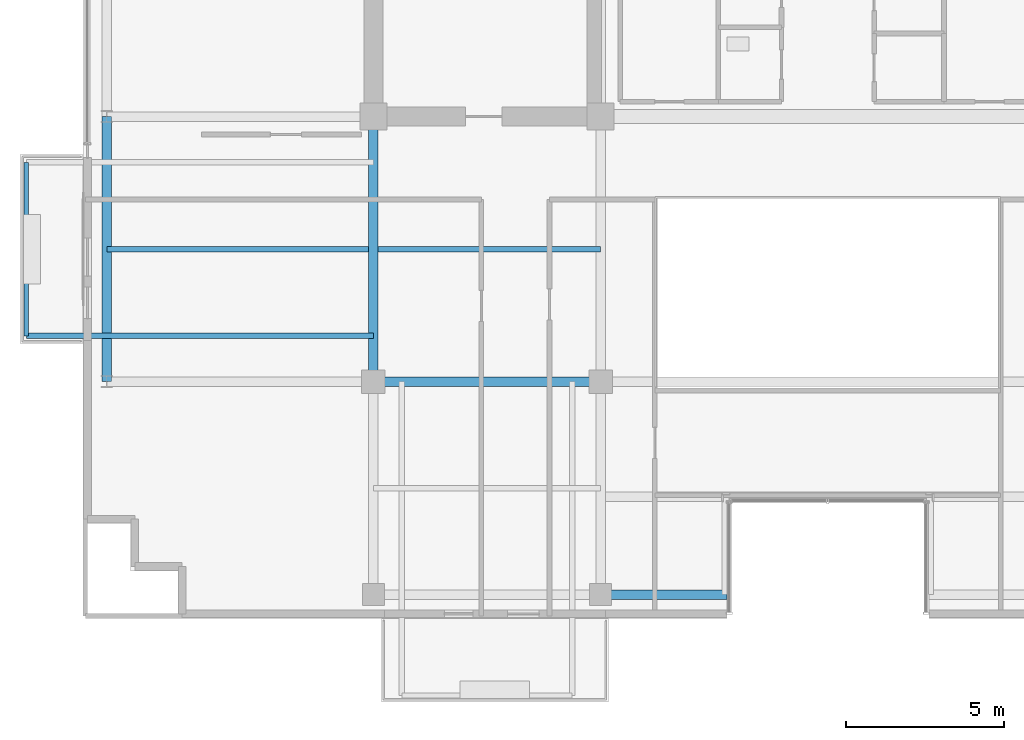
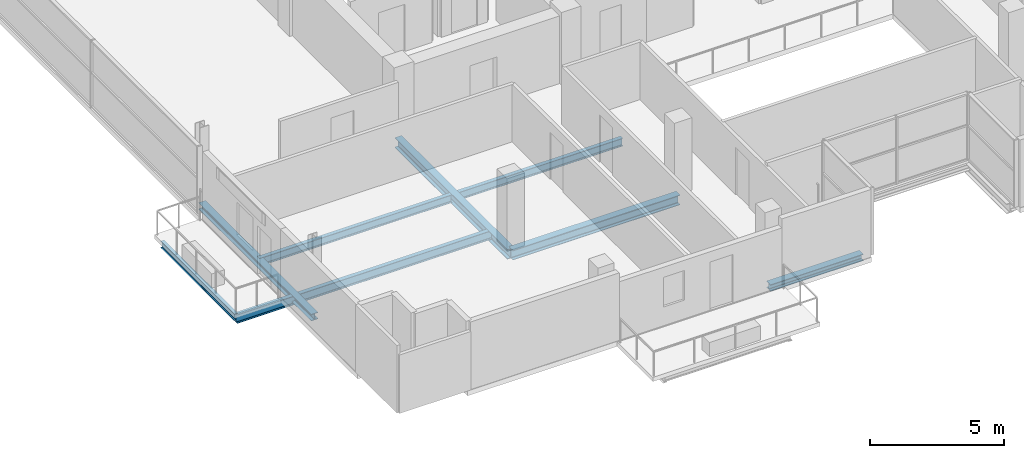
# One storey, part 2 of 22: 8 beams.
"""IFC4 building model written with IfcOpenShell, lengths in metres."""

from ifc_helpers import new_model, si_unit, direction, frame, origin, origin_2d, place, context, subcontext, project, spatial, i_section, extrude, material, material_profile, profile_set, type_object, element, save


model = new_model("IFC4")

# Units and contexts
model_context = context("Model", 3, precision=1e-05, world=origin(), true_north=direction((0.0, 1.0)))
body_context = subcontext(model_context, "Body", "Model", "MODEL_VIEW")
ifc_project = project(units=[si_unit("LENGTHUNIT", "METRE"), si_unit("AREAUNIT", "SQUARE_METRE"), si_unit("VOLUMEUNIT", "CUBIC_METRE"), si_unit("PLANEANGLEUNIT", "RADIAN"), si_unit("MASSUNIT", "GRAM", prefix="KILO")], contexts=[model_context])

# Site, building, storey
site_placement = place(None, origin())
site = spatial("IfcSite", under=ifc_project, at=site_placement, CompositionType="ELEMENT")
building_placement = place(site_placement, origin())
building = spatial("IfcBuilding", under=site, at=building_placement, Name="Zarnakvel Exchange Tower", CompositionType="ELEMENT")
storey_placement = place(building_placement, frame((0.0, 0.0, 228.699951171875)))
storey = spatial("IfcBuildingStorey", under=building, at=storey_placement, Name="L64", CompositionType="ELEMENT", Elevation=228.699951171875)

# Beams
ifc_material = material(Name="Steel S355", Category="steel")
ifc_material_profile_1 = material_profile(ifc_material, i_section(OverallWidth=0.179931640625, OverallDepth=0.39990234375, WebThickness=0.008544921875, FlangeThickness=0.013427734375, FilletRadius=0.02099609375, at=origin_2d()))
ifc_profile_set_1 = profile_set([ifc_material_profile_1], Name="Steel S355")
beam_type_1 = type_object("IfcBeamType", Name="B-06", PredefinedType="JOIST", material=ifc_profile_set_1)
beam_1_placement = place(storey_placement, frame((-14.39990234375, -8.14990234375, -0.425048828125), z_axis=(-1.0, 0.0, 0.0), x_axis=(0.0, -1.0, 0.0)))
element("IfcBeam", 1, at=beam_1_placement, inside=storey, type_object=beam_type_1, Name="L64 Continuous West Loggia Beam S", PredefinedType="JOIST", context=body_context, shape_type="SweptSolid", body=[
    extrude(i_section(OverallWidth=0.179931640625, OverallDepth=0.39990234375, WebThickness=0.008544921875, FlangeThickness=0.013427734375, FilletRadius=0.02099609375, at=origin_2d()), origin(), (0.0, 0.0, 1.0), 11.0),
])
ifc_material_profile_2 = material_profile(ifc_material, i_section(OverallWidth=0.169921875, OverallDepth=0.360107421875, WebThickness=0.008056640625, FlangeThickness=0.0126953125, FilletRadius=0.01806640625, at=origin_2d()))
ifc_profile_set_2 = profile_set([ifc_material_profile_2], Name="Steel S355")
beam_type_2 = type_object("IfcBeamType", Name="B-07", PredefinedType="JOIST", material=ifc_profile_set_2)
beam_2_placement = place(storey_placement, frame((-22.85009765625, -5.39990234375, -0.405029296875), z_axis=(1.0, 0.0, 0.0), x_axis=(0.0, 1.0, 0.0)))
element("IfcBeam", 2, at=beam_2_placement, inside=storey, type_object=beam_type_2, Name="L64 Composite Floor Secondary Joist", PredefinedType="JOIST", context=body_context, shape_type="SweptSolid", body=[
    extrude(i_section(OverallWidth=0.169921875, OverallDepth=0.360107421875, WebThickness=0.008056640625, FlangeThickness=0.0126953125, FilletRadius=0.01806640625, at=origin_2d()), origin(), (0.0, 0.0, 1.0), 8.300048828125),
])
beam_3_placement = place(storey_placement, frame((-14.25, -5.39990234375, -0.405029296875), z_axis=(1.0, 0.0, 0.0), x_axis=(0.0, 1.0, 0.0)))
element("IfcBeam", 3, at=beam_3_placement, inside=storey, type_object=beam_type_2, Name="L64 Composite Floor Secondary Joist", PredefinedType="JOIST", context=body_context, shape_type="SweptSolid", body=[
    extrude(i_section(OverallWidth=0.169921875, OverallDepth=0.360107421875, WebThickness=0.008056640625, FlangeThickness=0.0126953125, FilletRadius=0.01806640625, at=origin_2d()), origin(), (0.0, 0.0, 1.0), 7.050048828125),
])
ifc_material_profile_3 = material_profile(ifc_material, i_section(OverallWidth=0.14990234375, OverallDepth=0.300048828125, WebThickness=0.007080078125, FlangeThickness=0.0107421875, FilletRadius=0.014892578125, at=origin_2d()))
ifc_profile_set_3 = profile_set([ifc_material_profile_3], Name="Steel S355")
beam_type_3 = type_object("IfcBeamType", Name="B-08", PredefinedType="JOIST", material=ifc_profile_set_3)
beam_4_placement = place(storey_placement, frame((-25.39990234375, -8.14990234375, -0.375), z_axis=(0.0, 1.0, 0.0), x_axis=(-1.0, 0.0, 0.0)))
element("IfcBeam", 4, at=beam_4_placement, inside=storey, type_object=beam_type_3, Name="L64 West Loggia Edge Beam", PredefinedType="JOIST", context=body_context, shape_type="SweptSolid", body=[
    extrude(i_section(OverallWidth=0.14990234375, OverallDepth=0.300048828125, WebThickness=0.007080078125, FlangeThickness=0.0107421875, FilletRadius=0.014892578125, at=origin_2d()), origin(), (0.0, 0.0, 1.0), 5.5),
])
ifc_material_profile_4 = material_profile(ifc_material, i_section(OverallWidth=0.300048828125, OverallDepth=0.449951171875, WebThickness=0.013916015625, FlangeThickness=0.02587890625, FilletRadius=0.027099609375, at=origin_2d()))
ifc_profile_set_4 = profile_set([ifc_material_profile_4], Name="Steel S355")
beam_type_4 = type_object("IfcBeamType", Name="G-07", PredefinedType="BEAM", material=ifc_profile_set_4)
beam_5_placement = place(storey_placement, frame((-14.39990234375, -9.60009765625, -0.449951171875), z_axis=(1.0, 0.0, 0.0), x_axis=(0.0, 1.0, 0.0)))
element("IfcBeam", 5, at=beam_5_placement, inside=storey, type_object=beam_type_4, Name="L64 Tower E-W Frame Beam", PredefinedType="BEAM", context=body_context, shape_type="SweptSolid", body=[
    extrude(i_section(OverallWidth=0.300048828125, OverallDepth=0.449951171875, WebThickness=0.013916015625, FlangeThickness=0.02587890625, FilletRadius=0.027099609375, at=origin_2d()), origin(), (0.0, 0.0, 1.0), 7.199951171875),
])
beam_6_placement = place(storey_placement, frame((-14.39990234375, -9.60009765625, -0.449951171875), z_axis=(0.0, 1.0, 0.0), x_axis=(-1.0, 0.0, 0.0)))
element("IfcBeam", 6, at=beam_6_placement, inside=storey, type_object=beam_type_4, Name="L64 Tower N-S Frame Beam", PredefinedType="BEAM", context=body_context, shape_type="SweptSolid", body=[
    extrude(i_section(OverallWidth=0.300048828125, OverallDepth=0.449951171875, WebThickness=0.013916015625, FlangeThickness=0.02587890625, FilletRadius=0.027099609375, at=origin_2d()), origin(), (0.0, 0.0, 1.0), 8.400146484375),
])
ifc_material_profile_5 = material_profile(ifc_material, i_section(OverallWidth=0.300048828125, OverallDepth=0.300048828125, WebThickness=0.010986328125, FlangeThickness=0.01904296875, FilletRadius=0.027099609375, at=origin_2d()))
ifc_profile_set_5 = profile_set([ifc_material_profile_5], Name="Steel S355")
beam_type_5 = type_object("IfcBeamType", Name="SP-03", PredefinedType="SPANDREL", material=ifc_profile_set_5)
beam_7_placement = place(storey_placement, frame((-7.199951171875, -16.35009765625, -0.375), z_axis=(1.0, 0.0, 0.0), x_axis=(0.0, 1.0, 0.0)))
element("IfcBeam", 7, at=beam_7_placement, inside=storey, type_object=beam_type_5, Name="L64 South Slot West Jamb Spandrel", PredefinedType="SPANDREL", context=body_context, shape_type="SweptSolid", body=[
    extrude(i_section(OverallWidth=0.300048828125, OverallDepth=0.300048828125, WebThickness=0.010986328125, FlangeThickness=0.01904296875, FilletRadius=0.027099609375, at=origin_2d()), origin(), (0.0, 0.0, 1.0), 4.0),
])
beam_8_placement = place(storey_placement, frame((-22.85009765625, -9.60009765625, -0.375), z_axis=(0.0, 1.0, 0.0), x_axis=(-1.0, 0.0, 0.0)))
element("IfcBeam", 8, at=beam_8_placement, inside=storey, type_object=beam_type_5, Name="L64 Tower N-S Frame Beam", PredefinedType="SPANDREL", context=body_context, shape_type="SweptSolid", body=[
    extrude(i_section(OverallWidth=0.300048828125, OverallDepth=0.300048828125, WebThickness=0.010986328125, FlangeThickness=0.01904296875, FilletRadius=0.027099609375, at=origin_2d()), origin(), (0.0, 0.0, 1.0), 8.400146484375),
])

save(model, "model.ifc")
